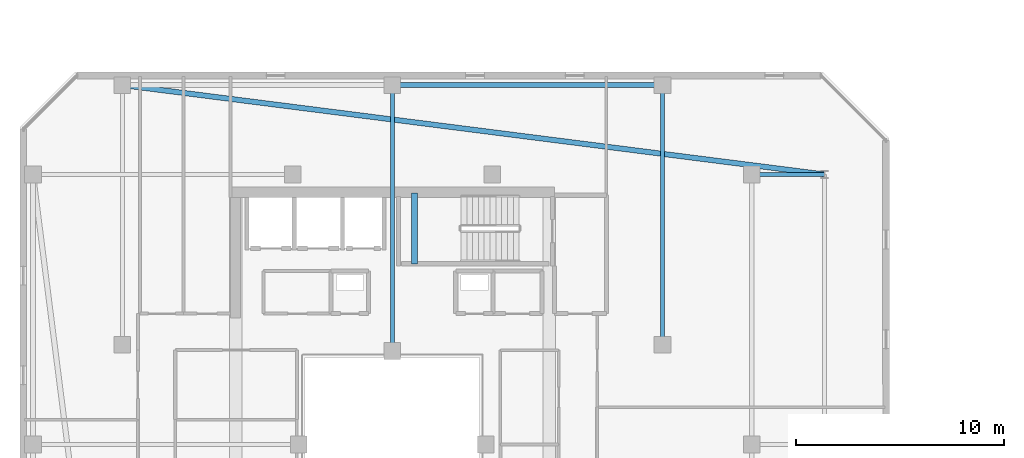
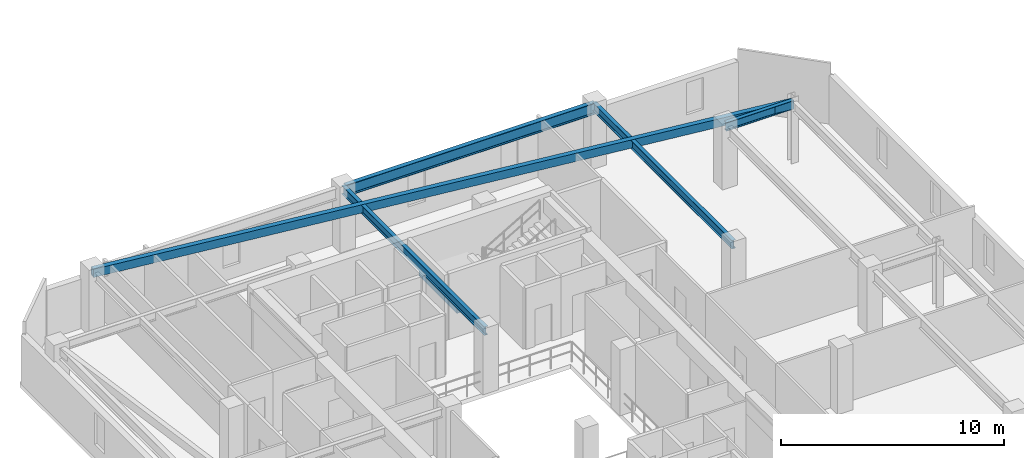
# One storey, part 11 of 35: 6 beams.
"""IFC4 building model written with IfcOpenShell, lengths in metres."""

from ifc_helpers import new_model, si_unit, direction, frame, origin, origin_2d, place, context, subcontext, project, spatial, rectangle, hollow_rectangle, i_section, extrude, material, material_profile, profile_set, type_object, element, save


model = new_model("IFC4")

# Units and contexts
model_context = context("Model", 3, precision=1e-05, world=origin(), true_north=direction((0.0, 1.0)))
body_context = subcontext(model_context, "Body", "Model", "MODEL_VIEW")
ifc_project = project(units=[si_unit("LENGTHUNIT", "METRE"), si_unit("AREAUNIT", "SQUARE_METRE"), si_unit("VOLUMEUNIT", "CUBIC_METRE"), si_unit("PLANEANGLEUNIT", "RADIAN"), si_unit("MASSUNIT", "GRAM", prefix="KILO")], contexts=[model_context])

# Site, building, storey
site_placement = place(None, origin())
site = spatial("IfcSite", under=ifc_project, at=site_placement, CompositionType="ELEMENT")
building_placement = place(site_placement, origin())
building = spatial("IfcBuilding", under=site, at=building_placement, Name="Thornwick Lancets Civic Towers", CompositionType="ELEMENT")
storey_placement = place(building_placement, frame((0.0, 0.0, 269.10009765625)))
storey = spatial("IfcBuildingStorey", under=building, at=storey_placement, Name="L72", CompositionType="ELEMENT", Elevation=269.10009765625)

# Beams
ifc_material_1 = material(Name="Steel S355JR", Category="steel")
ifc_material_profile_1 = material_profile(ifc_material_1, i_section(OverallWidth=0.230224609375, OverallDepth=0.6171875, WebThickness=0.01318359375, FlangeThickness=0.022216796875, FilletRadius=0.0126953125, at=origin_2d()), Name="UKB 610x229x140")
ifc_profile_set_1 = profile_set([ifc_material_profile_1], Name="Steel S355JR")
beam_type_1 = type_object("IfcBeamType", Name="BM_GIRD_610_140", PredefinedType="BEAM", material=ifc_profile_set_1)
beam_1_placement = place(storey_placement, frame((25.580078125, 44.300048828125, 3.05126953125), z_axis=(1.0, 0.0, 0.0), x_axis=(0.0, 1.0, 0.0)))
element("IfcBeam", 1, at=beam_1_placement, inside=storey, type_object=beam_type_1, Name="BM-SPINE-L72-A-7-8", PredefinedType="BEAM", context=body_context, shape_type="SweptSolid", body=[
    extrude(i_section(OverallWidth=0.230224609375, OverallDepth=0.6171875, WebThickness=0.01318359375, FlangeThickness=0.022216796875, FilletRadius=0.0126953125, at=origin_2d()), origin(), (0.0, 0.0, 1.0), 12.919921875),
])
ifc_material_profile_2 = material_profile(ifc_material_1, i_section(OverallWidth=0.19287109375, OverallDepth=0.46728515625, WebThickness=0.011474609375, FlangeThickness=0.01953125, FilletRadius=0.01025390625, at=origin_2d()), Name="UKB 457x191x98")
ifc_profile_set_2 = profile_set([ifc_material_profile_2], Name="Steel S355JR")
beam_type_2 = type_object("IfcBeamType", Name="BM_JOIST_457_98", PredefinedType="JOIST", material=ifc_profile_set_2)
beam_2_placement = place(storey_placement, frame((42.800048828125, 40.0, 3.126220703125), z_axis=(1.0, 0.0, 0.0), x_axis=(0.0, 1.0, 0.0)))
element("IfcBeam", 2, at=beam_2_placement, inside=storey, type_object=beam_type_2, Name="BM-RAD-L72-A06", PredefinedType="JOIST", context=body_context, shape_type="SweptSolid", body=[
    extrude(i_section(OverallWidth=0.19287109375, OverallDepth=0.46728515625, WebThickness=0.011474609375, FlangeThickness=0.01953125, FilletRadius=0.01025390625, at=origin_2d()), origin(), (0.0, 0.0, 1.0), 3.5),
])
beam_3_placement = place(storey_placement, frame((25.5, 31.5, 3.126220703125), z_axis=(0.0, 1.0, 0.0), x_axis=(-1.0, 0.0, 0.0)))
element("IfcBeam", 3, at=beam_3_placement, inside=storey, type_object=beam_type_2, Name="BM-RADIN-L72-A08", PredefinedType="JOIST", context=body_context, shape_type="SweptSolid", body=[
    extrude(i_section(OverallWidth=0.19287109375, OverallDepth=0.46728515625, WebThickness=0.011474609375, FlangeThickness=0.01953125, FilletRadius=0.01025390625, at=origin_2d()), origin(), (0.0, 0.0, 1.0), 12.800048828125),
])
beam_4_placement = place(storey_placement, frame((38.5, 31.800048828125, 3.126220703125), z_axis=(0.0, 1.0, 0.0), x_axis=(-1.0, 0.0, 0.0)))
element("IfcBeam", 4, at=beam_4_placement, inside=storey, type_object=beam_type_2, Name="BM-RADIN-L72-A09", PredefinedType="JOIST", context=body_context, shape_type="SweptSolid", body=[
    extrude(i_section(OverallWidth=0.19287109375, OverallDepth=0.46728515625, WebThickness=0.011474609375, FlangeThickness=0.01953125, FilletRadius=0.01025390625, at=origin_2d()), origin(), (0.0, 0.0, 1.0), 12.5),
])
ifc_material_profile_3 = material_profile(ifc_material_1, hollow_rectangle(XDim=0.25, YDim=0.449951171875, WallThickness=0.01611328125, at=origin_2d()), Name="RHS 450x250x16")
ifc_profile_set_3 = profile_set([ifc_material_profile_3], Name="Steel S355JR")
beam_type_3 = type_object("IfcBeamType", Name="BM_RING_RHS450", PredefinedType="BEAM", material=ifc_profile_set_3)
beam_5_placement = place(storey_placement, frame((46.300048828125, 40.0, 3.135009765625), z_axis=(-0.992004437051, 0.126202998662, 0.0), x_axis=(-0.126202998662, -0.992004437051, 0.0)))
element("IfcBeam", 5, at=beam_5_placement, inside=storey, type_object=beam_type_3, Name="BM-CHAMF-L72-A-C1", PredefinedType="BEAM", context=body_context, shape_type="SweptSolid", body=[
    extrude(hollow_rectangle(XDim=0.25, YDim=0.449951171875, WallThickness=0.01611328125, at=origin_2d()), origin(), (0.0, 0.0, 1.0), 34.072509765625),
])
ifc_material_2 = material(Name="Concrete C40/50", Category="concrete")
ifc_material_profile_4 = material_profile(ifc_material_2, rectangle(XDim=0.300048828125, YDim=0.35009765625, at=origin_2d()), Name="RC 300x350")
ifc_profile_set_4 = profile_set([ifc_material_profile_4], Name="Concrete C40/50")
beam_type_4 = type_object("IfcBeamType", Name="BM_STAIR_LDG", PredefinedType="BEAM", material=ifc_profile_set_4)
beam_6_placement = place(storey_placement, frame((26.56494140625, 39.10009765625, 1.3779296875), z_axis=(0.0, -1.0, 0.0), x_axis=(1.0, 0.0, 0.0)))
element("IfcBeam", 6, at=beam_6_placement, inside=storey, type_object=beam_type_4, Name="L72 ST-A2 Landing Support Beam 1", PredefinedType="BEAM", context=body_context, shape_type="SweptSolid", body=[
    extrude(rectangle(XDim=0.300048828125, YDim=0.35009765625, at=origin_2d()), origin(), (0.0, 0.0, 1.0), 3.400146484375),
])

save(model, "model.ifc")
